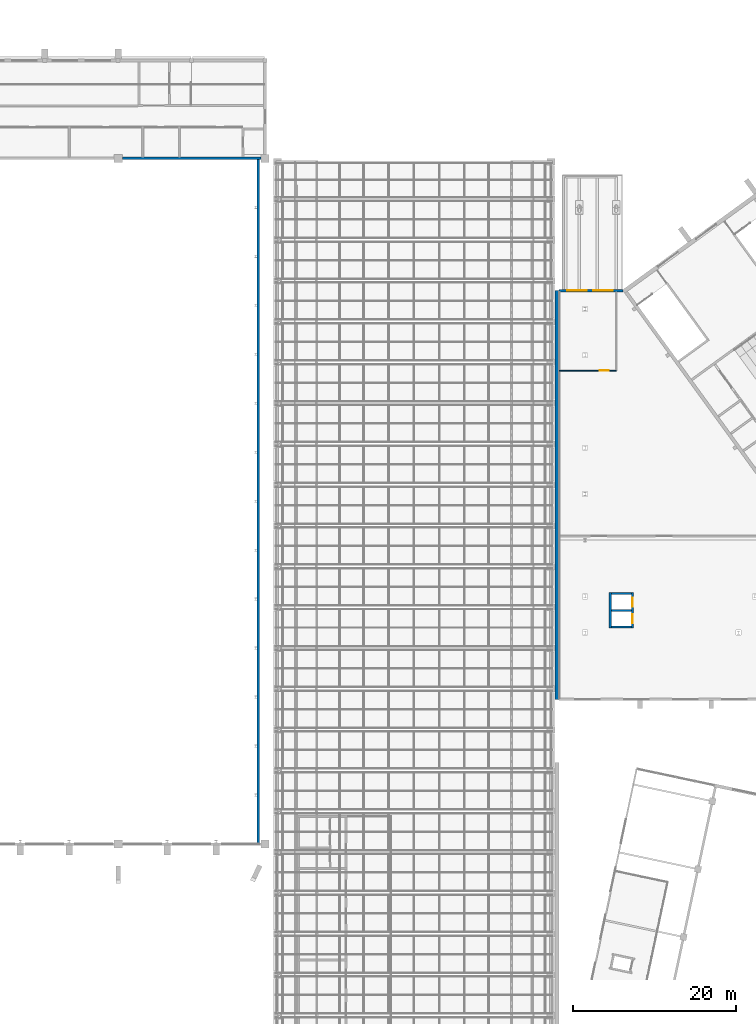
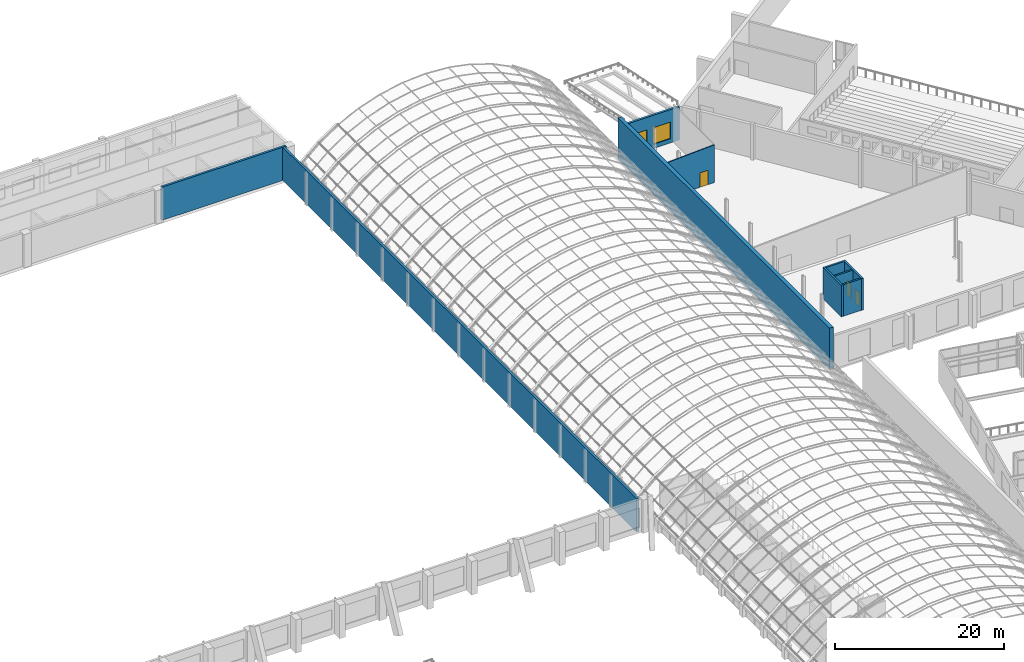
# One storey, part 142 of 182: 10 walls, 3 doors, 2 windows, 5 openings.
"""IFC4 building model written with IfcOpenShell, lengths in metres."""

from ifc_helpers import new_model, si_unit, direction, frame, frame_2d, origin, place, context, subcontext, project, spatial, polyline, rectangle, outline, extrude, material, layer, layer_set, type_object, element, fill, save


model = new_model("IFC4")

# Units and contexts
model_context = context("Model", 3, precision=1e-05, world=origin(), true_north=direction((0.0, 1.0)))
body_context = subcontext(model_context, "Body", "Model", "MODEL_VIEW")
ifc_project = project(units=[si_unit("LENGTHUNIT", "METRE"), si_unit("AREAUNIT", "SQUARE_METRE"), si_unit("VOLUMEUNIT", "CUBIC_METRE"), si_unit("PLANEANGLEUNIT", "RADIAN"), si_unit("MASSUNIT", "GRAM", prefix="KILO")], contexts=[model_context])

# Site, building, storey
site_placement = place(None, origin())
site = spatial("IfcSite", under=ifc_project, at=site_placement, CompositionType="ELEMENT")
building_placement = place(site_placement, origin())
building = spatial("IfcBuilding", under=site, at=building_placement, Name="Okhra Congress Centre", CompositionType="ELEMENT")
storey_placement = place(building_placement, frame((0.0, 0.0, 7.199951171875)))
storey = spatial("IfcBuildingStorey", under=building, at=storey_placement, Name="L01", CompositionType="ELEMENT", Elevation=7.199951171875)

# Wall, opening, door
ifc_material_1 = material(Name="Gypsum board on steel studs", Category="steel")
ifc_layer_1 = layer(ifc_material_1, 0.125)
ifc_layer_set_1 = layer_set([ifc_layer_1], Name="Partition 125")
wall_type_1 = type_object("IfcWallType", Name="Partition 125", PredefinedType="PARTITIONING", material=ifc_layer_set_1)
wall_1_placement = place(storey_placement, frame((190.0, 190.0, 0.0), z_axis=(0.0, 0.0, 1.0), x_axis=(1.0, 0.0, 0.0)))
wall_1 = element("IfcWall", 1, at=wall_1_placement, inside=storey, type_object=wall_type_1, Name="Press room south wall", PredefinedType="PARTITIONING", context=body_context, shape_type="SweptSolid", body=[
    extrude(outline(polyline([(0.0, 0.0), (7.0, 0.0), (7.0, 5.46484375), (0.0, 5.09814453125), (0.0, 0.0)])), frame((0.0, 0.0625, 0.0), z_axis=(0.0, -1.0, 0.0), x_axis=(1.0, 0.0, 0.0)), (0.0, 0.0, 1.0), 0.125),
])
opening_1_placement = place(wall_1_placement, frame((5.0, 0.0, 0.0)))
opening_1 = element("IfcOpeningElement", 2, at=opening_1_placement, cuts=wall_1, Name="Opening L01-086", PredefinedType="OPENING", context=body_context, shape_type="SweptSolid", body=[
    extrude(rectangle(XDim=1.10009765625, YDim=2.10009765625, at=frame_2d((0.550048828125, 1.050048828125))), frame((0.0, 0.072509765625, 0.0), z_axis=(0.0, -1.0, 0.0), x_axis=(1.0, 0.0, 0.0)), (0.0, 0.0, 1.0), 0.14501953125),
])
ifc_material_2 = material(Name="Timber door leaf in steel frame", Category="steel")
door_type_1 = type_object("IfcDoorType", Name="Single swing door 1100x2100", OperationType="NOTDEFINED", PredefinedType="DOOR", material=ifc_material_2)
door_1_placement = place(opening_1_placement, frame((1.10009765625, 0.0, 0.0), z_axis=(0.0, 0.0, 1.0), x_axis=(-1.0, 0.0, 0.0)))
door_1 = element("IfcDoor", 3, at=door_1_placement, inside=storey, type_object=door_type_1, Name="Door L01-086", OperationType="SINGLE_SWING_RIGHT", OverallHeight=2.10009765625, OverallWidth=1.10009765625, PredefinedType="DOOR", context=body_context, shape_type="SweptSolid", body=[
    extrude(rectangle(XDim=1.10009765625, YDim=2.10009765625, at=frame_2d((0.550048828125, 1.050048828125))), frame((0.0, 0.02490234375, 0.0), z_axis=(0.0, -1.0, 0.0), x_axis=(1.0, 0.0, 0.0)), (0.0, 0.0, 1.0), 0.050048828125),
])
fill(opening_1, door_1)

# Walls
ifc_material_3 = material(Name="Concrete C30/37", Category="concrete")
ifc_layer_2 = layer(ifc_material_3, 0.300048828125)
ifc_layer_set_2 = layer_set([ifc_layer_2], Name="RC fire wall 300 REI 150 C30/37")
wall_type_2 = type_object("IfcWallType", Name="RC fire wall 300 REI 150 C30/37", PredefinedType="SOLIDWALL", material=ifc_layer_set_2)
wall_2_placement = place(storey_placement, frame((136.5, 216.0, 0.0), z_axis=(0.0, 0.0, 1.0), x_axis=(1.0, 0.0, 0.0)))
element("IfcWall", 4, at=wall_2_placement, inside=storey, type_object=wall_type_2, Name="EH.WALL.L01.28", PredefinedType="SOLIDWALL", context=body_context, shape_type="SweptSolid", body=[
    extrude(rectangle(XDim=17.0, YDim=0.300048828125, at=frame_2d((8.5, 0.0))), origin(), (0.0, 0.0, 1.0), 4.800048828125),
])
wall_3_placement = place(storey_placement, frame((153.14990234375, 132.14990234375, 0.0), z_axis=(0.0, 0.0, 1.0), x_axis=(0.0, 1.0, 0.0)))
element("IfcWall", 5, at=wall_3_placement, inside=storey, type_object=wall_type_2, Name="EH.WALL.L01.30", PredefinedType="SOLIDWALL", context=body_context, shape_type="SweptSolid", body=[
    extrude(rectangle(XDim=83.7001953125, YDim=0.300048828125, at=frame_2d((41.85009765625, 0.0))), origin(), (0.0, 0.0, 1.0), 4.800048828125),
])
ifc_layer_3 = layer(ifc_material_3, 0.5)
ifc_layer_set_3 = layer_set([ifc_layer_3], Name="RC fire wall 500 REI 150 C30/37")
wall_type_3 = type_object("IfcWallType", Name="RC fire wall 500 REI 150 C30/37", PredefinedType="SOLIDWALL", material=ifc_layer_set_3)
wall_4_placement = place(storey_placement, frame((189.75, 149.719970703125, 0.0), z_axis=(0.0, 0.0, 1.0), x_axis=(0.0, 1.0, 0.0)))
element("IfcWall", 6, at=wall_4_placement, inside=storey, type_object=wall_type_3, Name="Fire wall upper to the plenary hall foyer", PredefinedType="SOLIDWALL", context=body_context, shape_type="SweptSolid", body=[
    extrude(rectangle(XDim=50.080078125, YDim=0.5, at=frame_2d((25.0400390625, 0.0))), origin(), (0.0, 0.0, 1.0), 6.0),
])
ifc_layer_4 = layer(ifc_material_3, 0.25)
ifc_layer_set_4 = layer_set([ifc_layer_4], Name="RC wall 250 REI 120 C30/37")
wall_type_4 = type_object("IfcWallType", Name="RC wall 250 REI 120 C30/37", PredefinedType="SOLIDWALL", material=ifc_layer_set_4)
wall_5_placement = place(storey_placement, frame((196.27490234375, 158.449951171875, 0.0), z_axis=(0.0, 0.0, 1.0), x_axis=(0.0, 1.0, 0.0)))
element("IfcWall", 7, at=wall_5_placement, inside=storey, type_object=wall_type_4, Name="Lift shaft west wall L01", PredefinedType="SOLIDWALL", context=body_context, shape_type="SweptSolid", body=[
    extrude(rectangle(XDim=4.35009765625, YDim=0.25, at=frame_2d((2.175048828125, 0.0))), origin(), (0.0, 0.0, 1.0), 4.550048828125),
])

# Wall, openings, doors
wall_6_placement = place(storey_placement, frame((199.02490234375, 158.449951171875, 0.0), z_axis=(0.0, 0.0, 1.0), x_axis=(0.0, 1.0, 0.0)))
wall_6 = element("IfcWall", 8, at=wall_6_placement, inside=storey, type_object=wall_type_4, Name="Lift shaft east wall L01", PredefinedType="SOLIDWALL", context=body_context, shape_type="SweptSolid", body=[
    extrude(rectangle(XDim=4.35009765625, YDim=0.25, at=frame_2d((2.175048828125, 0.0))), origin(), (0.0, 0.0, 1.0), 4.550048828125),
])
opening_2_placement = place(wall_6_placement, frame((0.60009765625, 0.0, 0.0)))
opening_2 = element("IfcOpeningElement", 9, at=opening_2_placement, cuts=wall_6, Name="Opening L01-081", PredefinedType="OPENING", context=body_context, shape_type="SweptSolid", body=[
    extrude(rectangle(XDim=1.10009765625, YDim=2.10009765625, at=frame_2d((0.550048828125, 1.050048828125))), frame((0.0, 0.135009765625, 0.0), z_axis=(0.0, -1.0, 0.0), x_axis=(1.0, 0.0, 0.0)), (0.0, 0.0, 1.0), 0.27001953125),
])
opening_3_placement = place(wall_6_placement, frame((2.64990234375, 0.0, 0.0)))
opening_3 = element("IfcOpeningElement", 10, at=opening_3_placement, cuts=wall_6, Name="Opening L01-082", PredefinedType="OPENING", context=body_context, shape_type="SweptSolid", body=[
    extrude(rectangle(XDim=1.10009765625, YDim=2.10009765625, at=frame_2d((0.550048828125, 1.050048828125))), frame((0.0, 0.135009765625, 0.0), z_axis=(0.0, -1.0, 0.0), x_axis=(1.0, 0.0, 0.0)), (0.0, 0.0, 1.0), 0.27001953125),
])
ifc_material_4 = material(Name="Stainless steel sliding landing door leaves", Category="steel")
door_type_2 = type_object("IfcDoorType", Name="Lift landing door 1100x2100 EI 30", OperationType="DOUBLE_DOOR_SLIDING", PredefinedType="DOOR", material=ifc_material_4)
door_2_placement = place(opening_2_placement, origin())
door_2 = element("IfcDoor", 11, at=door_2_placement, inside=storey, type_object=door_type_2, Name="Door L01-081", OperationType="DOUBLE_DOOR_SLIDING", OverallHeight=2.10009765625, OverallWidth=1.10009765625, PredefinedType="DOOR", context=body_context, shape_type="SweptSolid", body=[
    extrude(rectangle(XDim=1.10009765625, YDim=2.10009765625, at=frame_2d((0.550048828125, 1.050048828125))), frame((0.0, 0.02490234375, 0.0), z_axis=(0.0, -1.0, 0.0), x_axis=(1.0, 0.0, 0.0)), (0.0, 0.0, 1.0), 0.050048828125),
])
fill(opening_2, door_2)
door_3_placement = place(opening_3_placement, origin())
door_3 = element("IfcDoor", 12, at=door_3_placement, inside=storey, type_object=door_type_2, Name="Door L01-082", OperationType="DOUBLE_DOOR_SLIDING", OverallHeight=2.10009765625, OverallWidth=1.10009765625, PredefinedType="DOOR", context=body_context, shape_type="SweptSolid", body=[
    extrude(rectangle(XDim=1.10009765625, YDim=2.10009765625, at=frame_2d((0.550048828125, 1.050048828125))), frame((0.0, 0.02490234375, 0.0), z_axis=(0.0, -1.0, 0.0), x_axis=(1.0, 0.0, 0.0)), (0.0, 0.0, 1.0), 0.050048828125),
])
fill(opening_3, door_3)

# Walls
for number, where, z_axis, x_axis, name in (
    (13, (196.39990234375, 158.574951171875, 0.0), (0.0, 0.0, 1.0), (1.0, 0.0, 0.0), "Lift shaft wall S L01"),
    (14, (196.39990234375, 160.625, 0.0), (0.0, 0.0, 1.0), (1.0, 0.0, 0.0), "Lift shaft wall M L01"),
    (15, (196.39990234375, 162.675048828125, 0.0), (0.0, 0.0, 1.0), (1.0, 0.0, 0.0), "Lift shaft wall N L01"),
):
    element("IfcWall", number, at=place(storey_placement, frame(where, z_axis=z_axis, x_axis=x_axis)), inside=storey, type_object=wall_type_4, Name=name, PredefinedType="SOLIDWALL", context=body_context, shape_type="SweptSolid", body=[
        extrude(rectangle(XDim=2.5, YDim=0.25, at=frame_2d((1.25, 0.0))), origin(), (0.0, 0.0, 1.0), 4.550048828125),
    ])

# Wall, openings, windows
ifc_layer_5 = layer(ifc_material_3, 0.300048828125)
ifc_layer_set_5 = layer_set([ifc_layer_5], Name="RC wall 300 REI 120 C30/37")
wall_type_5 = type_object("IfcWallType", Name="RC wall 300 REI 120 C30/37", PredefinedType="SOLIDWALL", material=ifc_layer_set_5)
wall_7_placement = place(storey_placement, frame((190.0, 199.7900390625, 0.0), z_axis=(0.0, 0.0, 1.0), x_axis=(1.0, 0.0, 0.0)))
wall_7 = element("IfcWall", 16, at=wall_7_placement, inside=storey, type_object=wall_type_5, Name="Foyer north wall L01", PredefinedType="SOLIDWALL", context=body_context, shape_type="SweptSolid", body=[
    extrude(rectangle(XDim=7.8271484375, YDim=0.300048828125, at=frame_2d((3.91357421875, 0.0))), origin(), (0.0, 0.0, 1.0), 4.800048828125),
])
opening_4_placement = place(wall_7_placement, frame((1.0, 0.0, 0.60009765625)))
opening_4 = element("IfcOpeningElement", 17, at=opening_4_placement, cuts=wall_7, Name="Opening WN22", PredefinedType="OPENING", context=body_context, shape_type="SweptSolid", body=[
    extrude(rectangle(XDim=2.39990234375, YDim=2.39990234375, at=frame_2d((1.199951171875, 1.199951171875))), frame((0.0, 0.159912109375, 0.0), z_axis=(0.0, -1.0, 0.0), x_axis=(1.0, 0.0, 0.0)), (0.0, 0.0, 1.0), 0.320068359375),
])
opening_5_placement = place(wall_7_placement, frame((4.199951171875, 0.0, 0.60009765625)))
opening_5 = element("IfcOpeningElement", 18, at=opening_5_placement, cuts=wall_7, Name="Opening WN22", PredefinedType="OPENING", context=body_context, shape_type="SweptSolid", body=[
    extrude(rectangle(XDim=2.39990234375, YDim=2.39990234375, at=frame_2d((1.199951171875, 1.199951171875))), frame((0.0, 0.159912109375, 0.0), z_axis=(0.0, -1.0, 0.0), x_axis=(1.0, 0.0, 0.0)), (0.0, 0.0, 1.0), 0.320068359375),
])
ifc_material_5 = material(Name="Thermally broken aluminium frame, triple glazing", Category="aluminium")
window_type = type_object("IfcWindowType", Name="Fixed window 2400x2400", PartitioningType="SINGLE_PANEL", PredefinedType="WINDOW", material=ifc_material_5)
window_1_placement = place(opening_4_placement, origin())
window_1 = element("IfcWindow", 19, at=window_1_placement, inside=storey, type_object=window_type, Name="PH.WIN.L01.9", OverallHeight=2.39990234375, OverallWidth=2.39990234375, PartitioningType="SINGLE_PANEL", PredefinedType="WINDOW", context=body_context, shape_type="SweptSolid", body=[
    extrude(rectangle(XDim=2.39990234375, YDim=2.39990234375, at=frame_2d((1.199951171875, 1.199951171875))), frame((0.0, 0.030029296875, 0.0), z_axis=(0.0, -1.0, 0.0), x_axis=(1.0, 0.0, 0.0)), (0.0, 0.0, 1.0), 0.06005859375),
])
fill(opening_4, window_1)
window_2_placement = place(opening_5_placement, origin())
window_2 = element("IfcWindow", 20, at=window_2_placement, inside=storey, type_object=window_type, Name="PH.WIN.L01.10", OverallHeight=2.39990234375, OverallWidth=2.39990234375, PartitioningType="SINGLE_PANEL", PredefinedType="WINDOW", context=body_context, shape_type="SweptSolid", body=[
    extrude(rectangle(XDim=2.39990234375, YDim=2.39990234375, at=frame_2d((1.199951171875, 1.199951171875))), frame((0.0, 0.030029296875, 0.0), z_axis=(0.0, -1.0, 0.0), x_axis=(1.0, 0.0, 0.0)), (0.0, 0.0, 1.0), 0.06005859375),
])
fill(opening_5, window_2)

save(model, "model.ifc")
